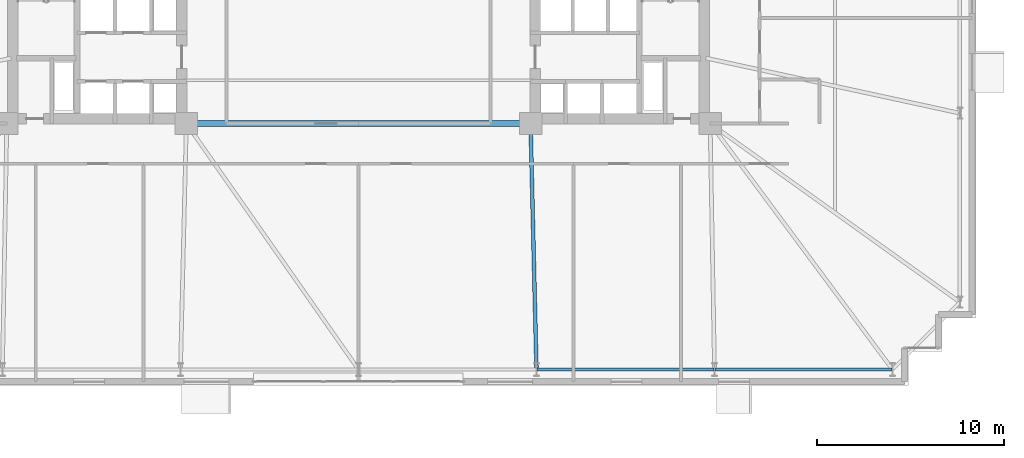
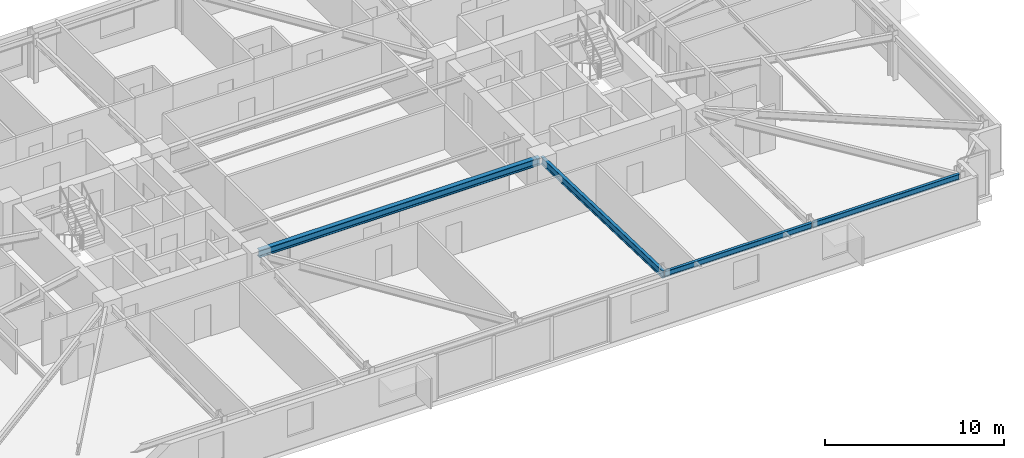
# One storey, part 9 of 24: 4 beams.
"""IFC4 building model written with IfcOpenShell, lengths in metres."""

from ifc_helpers import new_model, si_unit, direction, frame, origin, origin_2d, place, context, subcontext, project, spatial, i_section, extrude, material, material_profile, profile_set, type_object, element, save


model = new_model("IFC4")

# Units and contexts
model_context = context("Model", 3, precision=1e-05, world=origin(), true_north=direction((0.0, 1.0)))
body_context = subcontext(model_context, "Body", "Model", "MODEL_VIEW")
ifc_project = project(units=[si_unit("LENGTHUNIT", "METRE"), si_unit("AREAUNIT", "SQUARE_METRE"), si_unit("VOLUMEUNIT", "CUBIC_METRE"), si_unit("PLANEANGLEUNIT", "RADIAN"), si_unit("MASSUNIT", "GRAM", prefix="KILO")], contexts=[model_context])

# Site, building, storey
site_placement = place(None, origin())
site = spatial("IfcSite", under=ifc_project, at=site_placement, CompositionType="ELEMENT")
building_placement = place(site_placement, origin())
building = spatial("IfcBuilding", under=site, at=building_placement, Name="Qobustan Lattice House", CompositionType="ELEMENT")
storey_placement = place(building_placement, frame((0.0, 0.0, 50.449951171875)))
storey = spatial("IfcBuildingStorey", under=building, at=storey_placement, Name="L13", CompositionType="ELEMENT", Elevation=50.449951171875)

# Beams
ifc_material_1 = material(Name="Steel S355", Category="steel")
ifc_material_profile_1 = material_profile(ifc_material_1, i_section(OverallWidth=0.300048828125, OverallDepth=0.5, WebThickness=0.014404296875, FlangeThickness=0.028076171875, FilletRadius=0.027099609375, at=origin_2d()), Name="HEB500")
ifc_profile_set_1 = profile_set([ifc_material_profile_1], Name="Steel S355")
beam_type_1 = type_object("IfcBeamType", Name="BM-CG-HEB500", PredefinedType="USERDEFINED", material=ifc_profile_set_1)
beam_1_placement = place(storey_placement, frame((-9.050048828125, -5.60009765625, 2.78515625), z_axis=(1.0, 0.0, 0.0), x_axis=(0.0, 1.0, 0.0)))
element("IfcBeam", 1, at=beam_1_placement, inside=storey, type_object=beam_type_1, Name="L13 core spine girder CG-CS", ObjectType="GIRDER", PredefinedType="USERDEFINED", context=body_context, shape_type="SweptSolid", body=[
    extrude(i_section(OverallWidth=0.300048828125, OverallDepth=0.5, WebThickness=0.014404296875, FlangeThickness=0.028076171875, FilletRadius=0.027099609375, at=origin_2d()), origin(), (0.0, 0.0, 1.0), 18.10009765625),
])
ifc_material_2 = material(Name="Steel S355", Category="steel")
ifc_material_profile_2 = material_profile(ifc_material_2, i_section(OverallWidth=0.199951171875, OverallDepth=0.5, WebThickness=0.01025390625, FlangeThickness=0.01611328125, FilletRadius=0.02099609375, at=origin_2d()), Name="IPE500")
ifc_profile_set_2 = profile_set([ifc_material_profile_2], Name="Steel S355")
beam_type_2 = type_object("IfcBeamType", Name="BM-FLG-IPE500", PredefinedType="USERDEFINED", material=ifc_profile_set_2)
beam_2_placement = place(storey_placement, frame((9.51611328125, -18.72509765625, 2.78515625), z_axis=(-0.024071445657, 0.999710240772, 0.0), x_axis=(-0.999710240772, -0.024071445657, 0.0)))
element("IfcBeam", 2, at=beam_2_placement, inside=storey, type_object=beam_type_2, Name="L13 primary floor girder RAD-S5", ObjectType="GIRDER", PredefinedType="USERDEFINED", context=body_context, shape_type="SweptSolid", body=[
    extrude(i_section(OverallWidth=0.199951171875, OverallDepth=0.5, WebThickness=0.01025390625, FlangeThickness=0.01611328125, FilletRadius=0.02099609375, at=origin_2d()), origin(), (0.0, 0.0, 1.0), 13.10400390625),
])
ifc_material_3 = material(Name="Steel S355", Category="steel")
ifc_material_profile_3 = material_profile(ifc_material_3, i_section(OverallWidth=0.179931640625, OverallDepth=0.39990234375, WebThickness=0.008544921875, FlangeThickness=0.013427734375, FilletRadius=0.02099609375, at=origin_2d()), Name="IPE400")
ifc_profile_set_3 = profile_set([ifc_material_profile_3], Name="Steel S355")
beam_type_3 = type_object("IfcBeamType", Name="BM-SPD-IPE400", PredefinedType="SPANDREL", material=ifc_profile_set_3)
for number, where, z_axis, x_axis, name in (
    (3, (9.541748046875, -18.75, 2.8349609375), (1.0, 0.0, 0.0), (0.0, 1.0, 0.0), "L13 perimeter spandrel S5-S6"),
    (4, (19.058349609375, -18.75, 2.8349609375), (1.0, 0.0, 0.0), (0.0, 1.0, 0.0), "L13 perimeter spandrel S6-S7"),
):
    element("IfcBeam", number, at=place(storey_placement, frame(where, z_axis=z_axis, x_axis=x_axis)), inside=storey, type_object=beam_type_3, Name=name, PredefinedType="SPANDREL", context=body_context, shape_type="SweptSolid", body=[
        extrude(i_section(OverallWidth=0.179931640625, OverallDepth=0.39990234375, WebThickness=0.008544921875, FlangeThickness=0.013427734375, FilletRadius=0.02099609375, at=origin_2d()), origin(), (0.0, 0.0, 1.0), 9.466552734375),
    ])

save(model, "model.ifc")
